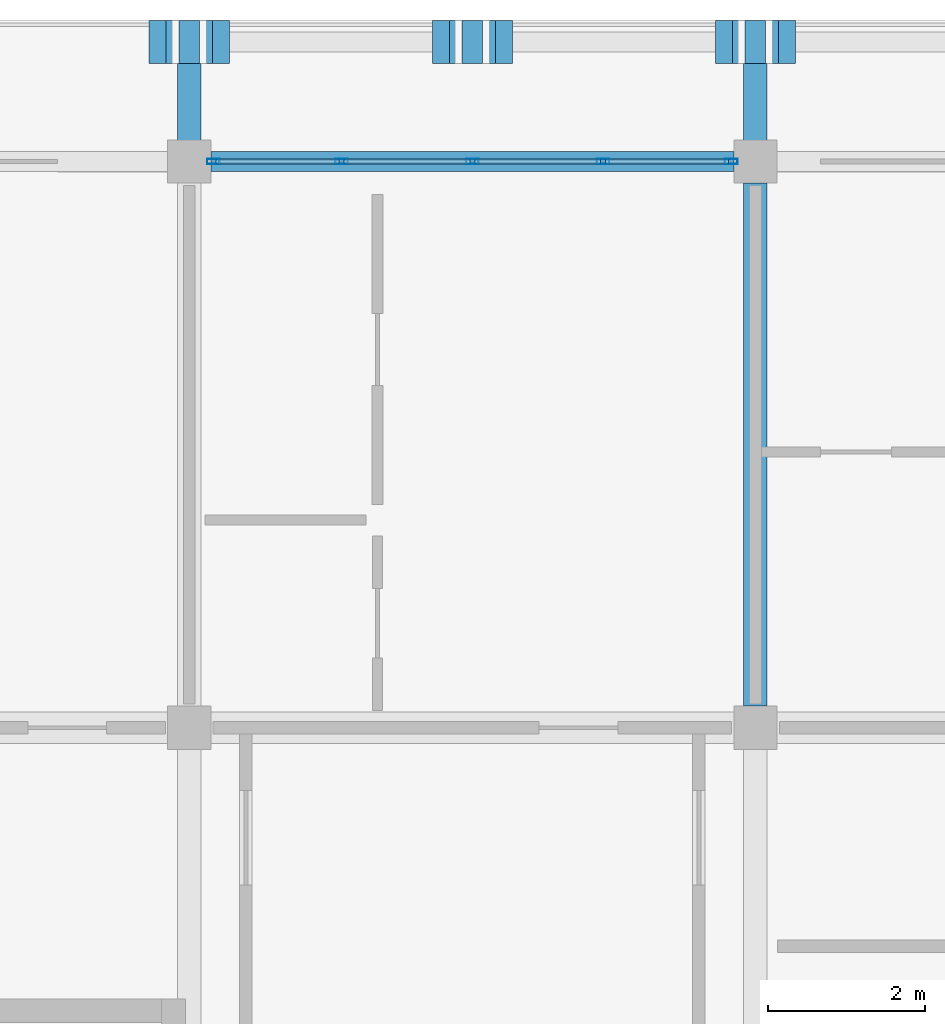
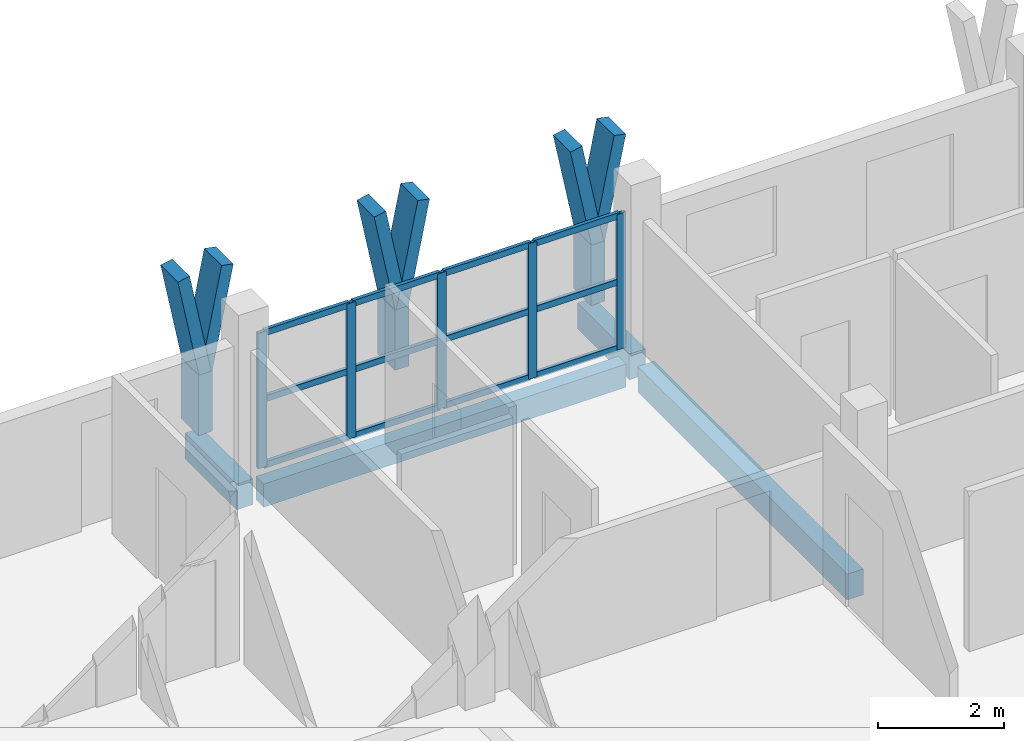
# One storey, part 23 of 60: 26 members, 4 beams, 1 element without a shape of its own.
"""IFC4 building model written with IfcOpenShell, lengths in metres."""

from ifc_helpers import new_model, si_unit, direction, frame, origin, origin_2d, place, context, subcontext, project, spatial, rectangle, hollow_rectangle, extrude, material, material_profile, profile_set, type_object, element, aggregate, save


model = new_model("IFC4")

# Units and contexts
model_context = context("Model", 3, precision=1e-05, world=origin(), true_north=direction((0.0, 1.0)))
body_context = subcontext(model_context, "Body", "Model", "MODEL_VIEW")
ifc_project = project(units=[si_unit("LENGTHUNIT", "METRE"), si_unit("AREAUNIT", "SQUARE_METRE"), si_unit("VOLUMEUNIT", "CUBIC_METRE"), si_unit("PLANEANGLEUNIT", "RADIAN"), si_unit("MASSUNIT", "GRAM", prefix="KILO")], contexts=[model_context])

# Site, building, storey
site_placement = place(None, origin())
site = spatial("IfcSite", under=ifc_project, at=site_placement, CompositionType="ELEMENT")
building_placement = place(site_placement, origin())
building = spatial("IfcBuilding", under=site, at=building_placement, Name="Suanplinth Sawtooth Commons", CompositionType="ELEMENT")
storey_placement = place(building_placement, frame((0.0, 0.0, 31.5)))
storey = spatial("IfcBuildingStorey", under=building, at=storey_placement, Name="L09", CompositionType="ELEMENT", Elevation=31.5)

# Beams
ifc_material_1 = material(Name="Precast concrete C40/50", Category="concrete")
ifc_material_profile_1 = material_profile(ifc_material_1, rectangle(XDim=0.300048828125, YDim=0.5, at=origin_2d()), Name="PC-BM 300x500")
ifc_profile_set_1 = profile_set([ifc_material_profile_1], Name="Precast concrete C40/50")
beam_type_1 = type_object("IfcBeamType", Name="B-07", PredefinedType="BEAM", material=ifc_profile_set_1)
beam_1_placement = place(storey_placement, frame((151.199951171875, 115.47509765625, -0.5), z_axis=(0.0, 1.0, 0.0), x_axis=(-1.0, 0.0, 0.0)))
element("IfcBeam", 1, at=beam_1_placement, inside=storey, type_object=beam_type_1, Name="BMY-L09-B-21-16", PredefinedType="BEAM", context=body_context, shape_type="SweptSolid", body=[
    extrude(rectangle(XDim=0.300048828125, YDim=0.5, at=origin_2d()), origin(), (0.0, 0.0, 1.0), 6.64990234375),
])
for number, where, z_axis, x_axis, name in (
    (2, (144.0, 122.39990234375, -0.429931640625), (0.0, 1.0, 0.0), (-1.0, 0.0, 0.0), "Balcony Outrigger L09-B-N-20"),
    (3, (151.199951171875, 122.39990234375, -0.429931640625), (0.0, 1.0, 0.0), (-1.0, 0.0, 0.0), "Balcony Outrigger L09-B-N-21"),
):
    element("IfcBeam", number, at=place(storey_placement, frame(where, z_axis=z_axis, x_axis=x_axis)), inside=storey, type_object=beam_type_1, Name=name, PredefinedType="BEAM", context=body_context, shape_type="SweptSolid", body=[
        extrude(rectangle(XDim=0.300048828125, YDim=0.5, at=origin_2d()), origin(), (0.0, 0.0, 1.0), 1.64013671875),
    ])
ifc_material_profile_2 = material_profile(ifc_material_1, rectangle(XDim=0.25, YDim=0.449951171875, at=origin_2d()), Name="PC-SP 250x450")
ifc_profile_set_2 = profile_set([ifc_material_profile_2], Name="Precast concrete C40/50")
beam_type_2 = type_object("IfcBeamType", Name="B-09", PredefinedType="SPANDREL", material=ifc_profile_set_2)
beam_2_placement = place(storey_placement, frame((144.27490234375, 122.39990234375, -0.47509765625), z_axis=(1.0, 0.0, 0.0), x_axis=(0.0, 1.0, 0.0)))
element("IfcBeam", 4, at=beam_2_placement, inside=storey, type_object=beam_type_2, Name="BMX-L09-B-20-17", PredefinedType="SPANDREL", context=body_context, shape_type="SweptSolid", body=[
    extrude(rectangle(XDim=0.25, YDim=0.449951171875, at=origin_2d()), origin(), (0.0, 0.0, 1.0), 6.650146484375),
])

# Members
ifc_material_2 = material(Name="Pigmented precast concrete C40/50", Category="concrete")
ifc_material_profile_3 = material_profile(ifc_material_2, rectangle(XDim=0.260009765625, YDim=0.550048828125, at=origin_2d()), Name="PC-FIN 260x550")
ifc_profile_set_3 = profile_set([ifc_material_profile_3], Name="Pigmented precast concrete C40/50")
member_type_1 = type_object("IfcMemberType", Name="M-09", PredefinedType="USERDEFINED", material=ifc_profile_set_3)
for number, where, z_axis, x_axis, name in (
    (5, (144.0, 123.919921875, 0.0), (0.0, 0.0, 1.0), (1.0, 0.0, 0.0), "Y-Blade Stem L09-B-N-01"),
    (6, (147.60009765625, 123.919921875, 0.0), (0.0, 0.0, 1.0), (1.0, 0.0, 0.0), "Y-Blade Stem L09-B-N-02"),
    (7, (151.199951171875, 123.919921875, 0.0), (0.0, 0.0, 1.0), (1.0, 0.0, 0.0), "Y-Blade Stem L09-B-N-03"),
):
    element("IfcMember", number, at=place(storey_placement, frame(where, z_axis=z_axis, x_axis=x_axis)), inside=storey, type_object=member_type_1, Name=name, ObjectType="SHADING FIN", PredefinedType="USERDEFINED", context=body_context, shape_type="SweptSolid", body=[
        extrude(rectangle(XDim=0.260009765625, YDim=0.550048828125, at=origin_2d()), origin(), (0.0, 0.0, 1.0), 1.169921875),
    ])
ifc_material_profile_4 = material_profile(ifc_material_2, rectangle(XDim=0.219970703125, YDim=0.550048828125, at=origin_2d()), Name="PC-FIN 220x550")
ifc_profile_set_4 = profile_set([ifc_material_profile_4], Name="Pigmented precast concrete C40/50")
member_type_2 = type_object("IfcMemberType", Name="M-10", PredefinedType="USERDEFINED", material=ifc_profile_set_4)
for number, where, z_axis, x_axis, name in (
    (8, (144.0, 123.919921875, 1.1298828125), (-0.196530428008, 0.0, 0.98049772609), (0.98049772609, 0.0, 0.196530428008), "Y-Blade Arm L L09-B-N-01"),
    (9, (144.0, 123.919921875, 1.1298828125), (0.196530428008, 0.0, 0.98049772609), (-0.98049772609, 0.0, 0.196530428008), "Y-Blade Arm R L09-B-N-01"),
    (10, (147.60009765625, 123.919921875, 1.1298828125), (-0.196530428008, 0.0, 0.98049772609), (0.98049772609, 0.0, 0.196530428008), "Y-Blade Arm L L09-B-N-02"),
    (11, (147.60009765625, 123.919921875, 1.1298828125), (0.196415357203, 0.0, 0.980520783795), (-0.980520783795, 0.0, 0.196415357203), "Y-Blade Arm R L09-B-N-02"),
    (12, (151.199951171875, 123.919921875, 1.1298828125), (-0.196415357203, 0.0, 0.980520783795), (0.980520783795, 0.0, 0.196415357203), "Y-Blade Arm L L09-B-N-03"),
    (13, (151.199951171875, 123.919921875, 1.1298828125), (0.196530428008, 0.0, 0.98049772609), (-0.98049772609, 0.0, 0.196530428008), "Y-Blade Arm R L09-B-N-03"),
):
    element("IfcMember", number, at=place(storey_placement, frame(where, z_axis=z_axis, x_axis=x_axis)), inside=storey, type_object=member_type_2, Name=name, ObjectType="SHADING FIN", PredefinedType="USERDEFINED", context=body_context, shape_type="SweptSolid", body=[
        extrude(rectangle(XDim=0.219970703125, YDim=0.550048828125, at=origin_2d()), origin(), (0.0, 0.0, 1.0), 2.039794921875),
    ])

# Curtain wall, members
ifc_material_3 = material(Name="Anodized aluminium and low-E glazing", Category="aluminium")
curtain_wall_type = type_object("IfcCurtainWallType", Name="CW-06", PredefinedType="USERDEFINED", material=ifc_material_3)
curtain_wall_placement = place(storey_placement, origin())
curtain_wall = element("IfcCurtainWall", 14, at=curtain_wall_placement, inside=storey, type_object=curtain_wall_type, Name="Curtain Wall CW-L09-B-LOUNGE-20", ObjectType="CURTAIN WALL", PredefinedType="USERDEFINED")
ifc_material_4 = material(Name="Anodized aluminium 6063-T6", Category="aluminium")
ifc_material_profile_5 = material_profile(ifc_material_4, hollow_rectangle(XDim=0.06494140625, YDim=0.159912109375, WallThickness=0.00390625, at=origin_2d()), Name="ALU-MUL 65x160")
ifc_profile_set_5 = profile_set([ifc_material_profile_5], Name="Anodized aluminium 6063-T6")
member_type_3 = type_object("IfcMemberType", Name="M-13", PredefinedType="MULLION", material=ifc_profile_set_5)
member_1_placement = place(storey_placement, frame((144.3076171875, 122.39990234375, 0.0), z_axis=(0.0, 0.0, 1.0), x_axis=(0.0, 1.0, 0.0)))
member_1 = element("IfcMember", 15, at=member_1_placement, type_object=member_type_3, Name="CW-06 mullion 1", PredefinedType="MULLION", context=body_context, shape_type="SweptSolid", body=[
    extrude(hollow_rectangle(XDim=0.06494140625, YDim=0.159912109375, WallThickness=0.00390625, at=origin_2d()), origin(), (0.0, 0.0, 1.0), 2.6298828125),
])
member_2_placement = place(storey_placement, frame((145.9375, 122.39990234375, 0.0), z_axis=(0.0, 0.0, 1.0), x_axis=(0.0, 1.0, 0.0)))
member_2 = element("IfcMember", 16, at=member_2_placement, type_object=member_type_3, Name="CW-06 mullion 2", PredefinedType="MULLION", context=body_context, shape_type="SweptSolid", body=[
    extrude(hollow_rectangle(XDim=0.06494140625, YDim=0.159912109375, WallThickness=0.00390625, at=origin_2d()), origin(), (0.0, 0.0, 1.0), 2.6298828125),
])
member_3_placement = place(storey_placement, frame((147.60009765625, 122.39990234375, 0.0), z_axis=(0.0, 0.0, 1.0), x_axis=(0.0, 1.0, 0.0)))
member_3 = element("IfcMember", 17, at=member_3_placement, type_object=member_type_3, Name="CW-06 mullion 3", PredefinedType="MULLION", context=body_context, shape_type="SweptSolid", body=[
    extrude(hollow_rectangle(XDim=0.06494140625, YDim=0.159912109375, WallThickness=0.00390625, at=origin_2d()), origin(), (0.0, 0.0, 1.0), 2.6298828125),
])
member_4_placement = place(storey_placement, frame((149.262451171875, 122.39990234375, 0.0), z_axis=(0.0, 0.0, 1.0), x_axis=(0.0, 1.0, 0.0)))
member_4 = element("IfcMember", 18, at=member_4_placement, type_object=member_type_3, Name="CW-06 mullion 4", PredefinedType="MULLION", context=body_context, shape_type="SweptSolid", body=[
    extrude(hollow_rectangle(XDim=0.06494140625, YDim=0.159912109375, WallThickness=0.00390625, at=origin_2d()), origin(), (0.0, 0.0, 1.0), 2.6298828125),
])
member_5_placement = place(storey_placement, frame((150.892578125, 122.39990234375, 0.0), z_axis=(0.0, 0.0, 1.0), x_axis=(0.0, 1.0, 0.0)))
member_5 = element("IfcMember", 19, at=member_5_placement, type_object=member_type_3, Name="CW-06 mullion 5", PredefinedType="MULLION", context=body_context, shape_type="SweptSolid", body=[
    extrude(hollow_rectangle(XDim=0.06494140625, YDim=0.159912109375, WallThickness=0.00390625, at=origin_2d()), origin(), (0.0, 0.0, 1.0), 2.6298828125),
])
ifc_material_profile_6 = material_profile(ifc_material_4, hollow_rectangle(XDim=0.06494140625, YDim=0.1201171875, WallThickness=0.00390625, at=origin_2d()), Name="ALU-TRN 65x120")
ifc_profile_set_6 = profile_set([ifc_material_profile_6], Name="Anodized aluminium 6063-T6")
member_type_4 = type_object("IfcMemberType", Name="M-15", PredefinedType="USERDEFINED", material=ifc_profile_set_6)
member_6_placement = place(storey_placement, frame((144.340087890625, 122.39990234375, 0.032470703125), z_axis=(1.0, 0.0, 0.0), x_axis=(0.0, 1.0, 0.0)))
member_6 = element("IfcMember", 20, at=member_6_placement, type_object=member_type_4, Name="CW-06 transom 1.1", ObjectType="TRANSOM", PredefinedType="USERDEFINED", context=body_context, shape_type="SweptSolid", body=[
    extrude(hollow_rectangle(XDim=0.06494140625, YDim=0.1201171875, WallThickness=0.00390625, at=origin_2d()), origin(), (0.0, 0.0, 1.0), 1.56494140625),
])
member_7_placement = place(storey_placement, frame((144.340087890625, 122.39990234375, 1.31494140625), z_axis=(1.0, 0.0, 0.0), x_axis=(0.0, 1.0, 0.0)))
member_7 = element("IfcMember", 21, at=member_7_placement, type_object=member_type_4, Name="CW-06 transom 1.2", ObjectType="TRANSOM", PredefinedType="USERDEFINED", context=body_context, shape_type="SweptSolid", body=[
    extrude(hollow_rectangle(XDim=0.06494140625, YDim=0.1201171875, WallThickness=0.00390625, at=origin_2d()), origin(), (0.0, 0.0, 1.0), 1.56494140625),
])
member_8_placement = place(storey_placement, frame((144.340087890625, 122.39990234375, 2.597412109375), z_axis=(1.0, 0.0, 0.0), x_axis=(0.0, 1.0, 0.0)))
member_8 = element("IfcMember", 22, at=member_8_placement, type_object=member_type_4, Name="CW-06 transom 1.3", ObjectType="TRANSOM", PredefinedType="USERDEFINED", context=body_context, shape_type="SweptSolid", body=[
    extrude(hollow_rectangle(XDim=0.06494140625, YDim=0.1201171875, WallThickness=0.00390625, at=origin_2d()), origin(), (0.0, 0.0, 1.0), 1.56494140625),
])
member_9_placement = place(storey_placement, frame((145.969970703125, 122.39990234375, 0.032470703125), z_axis=(1.0, 0.0, 0.0), x_axis=(0.0, 1.0, 0.0)))
member_9 = element("IfcMember", 23, at=member_9_placement, type_object=member_type_4, Name="CW-06 transom 2.1", ObjectType="TRANSOM", PredefinedType="USERDEFINED", context=body_context, shape_type="SweptSolid", body=[
    extrude(hollow_rectangle(XDim=0.06494140625, YDim=0.1201171875, WallThickness=0.00390625, at=origin_2d()), origin(), (0.0, 0.0, 1.0), 1.597412109375),
])
member_10_placement = place(storey_placement, frame((145.969970703125, 122.39990234375, 1.31494140625), z_axis=(1.0, 0.0, 0.0), x_axis=(0.0, 1.0, 0.0)))
member_10 = element("IfcMember", 24, at=member_10_placement, type_object=member_type_4, Name="CW-06 transom 2.2", ObjectType="TRANSOM", PredefinedType="USERDEFINED", context=body_context, shape_type="SweptSolid", body=[
    extrude(hollow_rectangle(XDim=0.06494140625, YDim=0.1201171875, WallThickness=0.00390625, at=origin_2d()), origin(), (0.0, 0.0, 1.0), 1.597412109375),
])
member_11_placement = place(storey_placement, frame((145.969970703125, 122.39990234375, 2.597412109375), z_axis=(1.0, 0.0, 0.0), x_axis=(0.0, 1.0, 0.0)))
member_11 = element("IfcMember", 25, at=member_11_placement, type_object=member_type_4, Name="CW-06 transom 2.3", ObjectType="TRANSOM", PredefinedType="USERDEFINED", context=body_context, shape_type="SweptSolid", body=[
    extrude(hollow_rectangle(XDim=0.06494140625, YDim=0.1201171875, WallThickness=0.00390625, at=origin_2d()), origin(), (0.0, 0.0, 1.0), 1.597412109375),
])
member_12_placement = place(storey_placement, frame((147.632568359375, 122.39990234375, 0.032470703125), z_axis=(1.0, 0.0, 0.0), x_axis=(0.0, 1.0, 0.0)))
member_12 = element("IfcMember", 26, at=member_12_placement, type_object=member_type_4, Name="CW-06 transom 3.1", ObjectType="TRANSOM", PredefinedType="USERDEFINED", context=body_context, shape_type="SweptSolid", body=[
    extrude(hollow_rectangle(XDim=0.06494140625, YDim=0.1201171875, WallThickness=0.00390625, at=origin_2d()), origin(), (0.0, 0.0, 1.0), 1.597412109375),
])
member_13_placement = place(storey_placement, frame((147.632568359375, 122.39990234375, 1.31494140625), z_axis=(1.0, 0.0, 0.0), x_axis=(0.0, 1.0, 0.0)))
member_13 = element("IfcMember", 27, at=member_13_placement, type_object=member_type_4, Name="CW-06 transom 3.2", ObjectType="TRANSOM", PredefinedType="USERDEFINED", context=body_context, shape_type="SweptSolid", body=[
    extrude(hollow_rectangle(XDim=0.06494140625, YDim=0.1201171875, WallThickness=0.00390625, at=origin_2d()), origin(), (0.0, 0.0, 1.0), 1.597412109375),
])
member_14_placement = place(storey_placement, frame((147.632568359375, 122.39990234375, 2.597412109375), z_axis=(1.0, 0.0, 0.0), x_axis=(0.0, 1.0, 0.0)))
member_14 = element("IfcMember", 28, at=member_14_placement, type_object=member_type_4, Name="CW-06 transom 3.3", ObjectType="TRANSOM", PredefinedType="USERDEFINED", context=body_context, shape_type="SweptSolid", body=[
    extrude(hollow_rectangle(XDim=0.06494140625, YDim=0.1201171875, WallThickness=0.00390625, at=origin_2d()), origin(), (0.0, 0.0, 1.0), 1.597412109375),
])
member_15_placement = place(storey_placement, frame((149.294921875, 122.39990234375, 0.032470703125), z_axis=(1.0, 0.0, 0.0), x_axis=(0.0, 1.0, 0.0)))
member_15 = element("IfcMember", 29, at=member_15_placement, type_object=member_type_4, Name="CW-06 transom 4.1", ObjectType="TRANSOM", PredefinedType="USERDEFINED", context=body_context, shape_type="SweptSolid", body=[
    extrude(hollow_rectangle(XDim=0.06494140625, YDim=0.1201171875, WallThickness=0.00390625, at=origin_2d()), origin(), (0.0, 0.0, 1.0), 1.565185546875),
])
member_16_placement = place(storey_placement, frame((149.294921875, 122.39990234375, 1.31494140625), z_axis=(1.0, 0.0, 0.0), x_axis=(0.0, 1.0, 0.0)))
member_16 = element("IfcMember", 30, at=member_16_placement, type_object=member_type_4, Name="CW-06 transom 4.2", ObjectType="TRANSOM", PredefinedType="USERDEFINED", context=body_context, shape_type="SweptSolid", body=[
    extrude(hollow_rectangle(XDim=0.06494140625, YDim=0.1201171875, WallThickness=0.00390625, at=origin_2d()), origin(), (0.0, 0.0, 1.0), 1.565185546875),
])
member_17_placement = place(storey_placement, frame((149.294921875, 122.39990234375, 2.597412109375), z_axis=(1.0, 0.0, 0.0), x_axis=(0.0, 1.0, 0.0)))
member_17 = element("IfcMember", 31, at=member_17_placement, type_object=member_type_4, Name="CW-06 transom 4.3", ObjectType="TRANSOM", PredefinedType="USERDEFINED", context=body_context, shape_type="SweptSolid", body=[
    extrude(hollow_rectangle(XDim=0.06494140625, YDim=0.1201171875, WallThickness=0.00390625, at=origin_2d()), origin(), (0.0, 0.0, 1.0), 1.565185546875),
])
aggregate(curtain_wall, [member_1, member_2, member_3, member_4, member_5, member_6, member_7, member_8, member_9, member_10, member_11, member_12, member_13, member_14, member_15, member_16, member_17])

save(model, "model.ifc")
